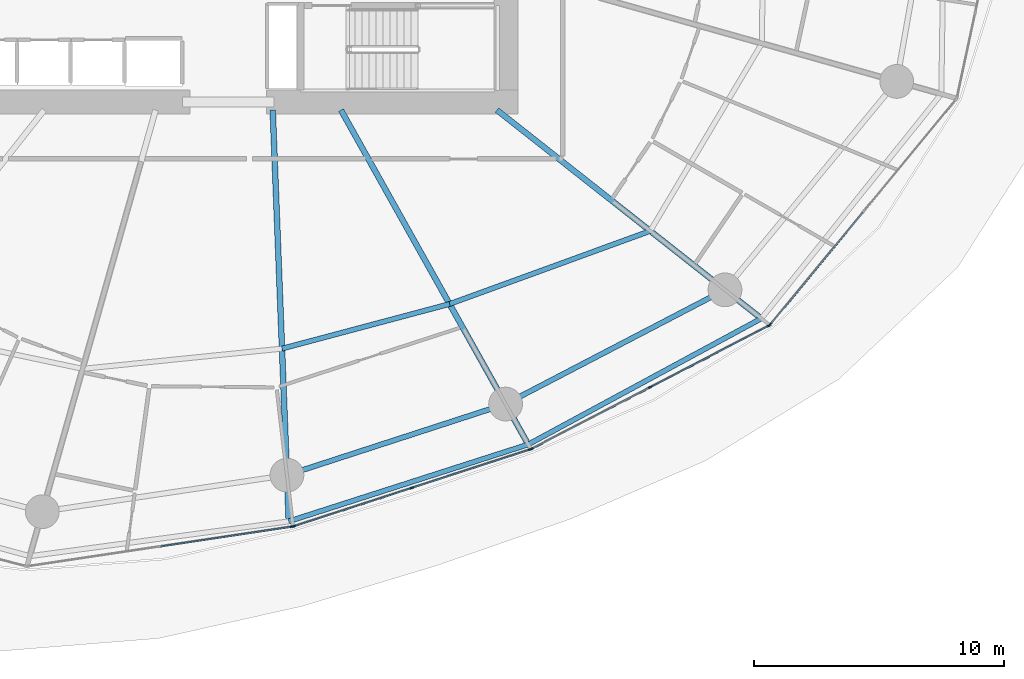
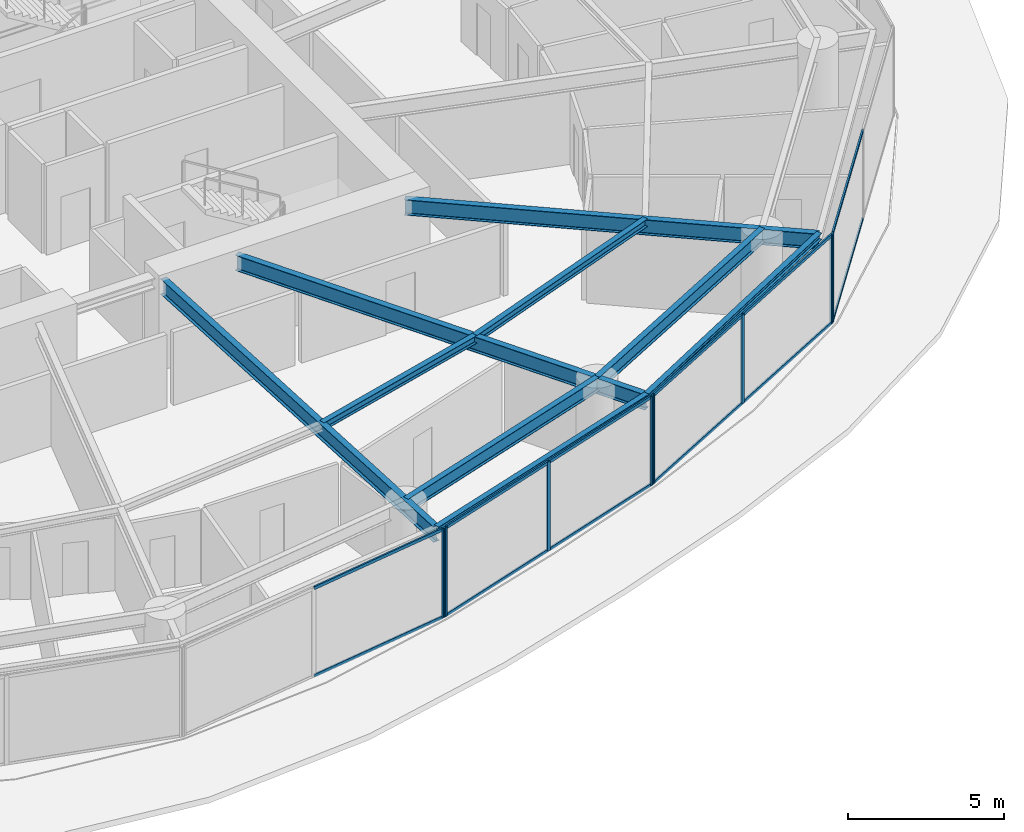
# One storey, part 8 of 22: 20 members, 9 beams, 4 elements without a shape of their own.
"""IFC4 building model written with IfcOpenShell, lengths in metres."""

from ifc_helpers import new_model, si_unit, direction, frame, origin, origin_2d, place, context, subcontext, project, spatial, rectangle, i_section, extrude, material, layer, layer_set, material_profile, profile_set, type_object, element, aggregate, save


model = new_model("IFC4")

# Units and contexts
model_context = context("Model", 3, precision=1e-05, world=origin(), true_north=direction((0.0, 1.0)))
body_context = subcontext(model_context, "Body", "Model", "MODEL_VIEW")
ifc_project = project(units=[si_unit("LENGTHUNIT", "METRE"), si_unit("AREAUNIT", "SQUARE_METRE"), si_unit("VOLUMEUNIT", "CUBIC_METRE"), si_unit("PLANEANGLEUNIT", "RADIAN"), si_unit("MASSUNIT", "GRAM", prefix="KILO")], contexts=[model_context])

# Site, building, storey
site_placement = place(None, origin())
site = spatial("IfcSite", under=ifc_project, at=site_placement, CompositionType="ELEMENT")
building_placement = place(site_placement, origin())
building = spatial("IfcBuilding", under=site, at=building_placement, Name="Kazma Halo Residences", CompositionType="ELEMENT")
storey_placement = place(building_placement, frame((0.0, 0.0, 26.39990234375)))
storey = spatial("IfcBuildingStorey", under=building, at=storey_placement, Name="L05", CompositionType="ELEMENT", Elevation=26.39990234375)

# Beams
ifc_material_1 = material(Name="Steel S355", Category="steel")
ifc_material_profile_1 = material_profile(ifc_material_1, i_section(OverallWidth=0.201904296875, OverallDepth=0.2470703125, WebThickness=0.00732421875, FlangeThickness=0.010986328125, FilletRadius=0.011962890625, at=origin_2d()), Name="W250x49.1")
ifc_profile_set_1 = profile_set([ifc_material_profile_1], Name="Steel S355")
beam_type_1 = type_object("IfcBeamType", Name="BM-BAL-CANT", PredefinedType="BEAM", material=ifc_profile_set_1)
beam_1_placement = place(storey_placement, frame((50.84033203125, 16.761962890625, 3.376708984375), z_axis=(0.952101049535, 0.305783569662, 0.0), x_axis=(-0.305783569662, 0.952101049535, 0.0)))
element("IfcBeam", 1, at=beam_1_placement, inside=storey, type_object=beam_type_1, Name="L05 wave-balcony tie beam 12", PredefinedType="BEAM", context=body_context, shape_type="SweptSolid", body=[
    extrude(i_section(OverallWidth=0.201904296875, OverallDepth=0.2470703125, WebThickness=0.00732421875, FlangeThickness=0.010986328125, FilletRadius=0.011962890625, at=origin_2d()), origin(), (0.0, 0.0, 1.0), 10.053466796875),
])
beam_2_placement = place(storey_placement, frame((60.412353515625, 19.836181640625, 3.376708984375), z_axis=(0.879759421466, 0.47541914175, 0.0), x_axis=(-0.47541914175, 0.879759421466, 0.0)))
element("IfcBeam", 2, at=beam_2_placement, inside=storey, type_object=beam_type_1, Name="L05 wave-balcony tie beam 13", PredefinedType="BEAM", context=body_context, shape_type="SweptSolid", body=[
    extrude(i_section(OverallWidth=0.201904296875, OverallDepth=0.2470703125, WebThickness=0.00732421875, FlangeThickness=0.010986328125, FilletRadius=0.011962890625, at=origin_2d()), origin(), (0.0, 0.0, 1.0), 10.58935546875),
])
ifc_material_profile_2 = material_profile(ifc_material_1, i_section(OverallWidth=0.22802734375, OverallDepth=0.60791015625, WebThickness=0.01123046875, FlangeThickness=0.017333984375, FilletRadius=0.01806640625, at=origin_2d()), Name="W610x113")
ifc_profile_set_2 = profile_set([ifc_material_profile_2], Name="Steel S355")
beam_type_2 = type_object("IfcBeamType", Name="BM-RAD-W610", PredefinedType="BEAM", material=ifc_profile_set_2)
beam_3_placement = place(storey_placement, frame((50.199951171875, 33.199951171875, 3.196044921875), z_axis=(0.038927845379, -0.999242024163, 0.0), x_axis=(0.999242024163, 0.038927845379, 0.0)))
element("IfcBeam", 3, at=beam_3_placement, inside=storey, type_object=beam_type_2, Name="L05 radial floor beam 12", PredefinedType="BEAM", context=body_context, shape_type="SweptSolid", body=[
    extrude(i_section(OverallWidth=0.22802734375, OverallDepth=0.60791015625, WebThickness=0.01123046875, FlangeThickness=0.017333984375, FilletRadius=0.01806640625, at=origin_2d()), origin(), (0.0, 0.0, 1.0), 16.450439453125),
])
beam_4_placement = place(storey_placement, frame((52.92822265625, 33.199951171875, 3.196044921875), z_axis=(0.488624239587, -0.872494328055, 0.0), x_axis=(0.872494328055, 0.488624239587, 0.0)))
element("IfcBeam", 4, at=beam_4_placement, inside=storey, type_object=beam_type_2, Name="L05 radial floor beam 13", PredefinedType="BEAM", context=body_context, shape_type="SweptSolid", body=[
    extrude(i_section(OverallWidth=0.22802734375, OverallDepth=0.60791015625, WebThickness=0.01123046875, FlangeThickness=0.017333984375, FilletRadius=0.01806640625, at=origin_2d()), origin(), (0.0, 0.0, 1.0), 15.316650390625),
])
beam_5_placement = place(storey_placement, frame((59.16259765625, 33.199951171875, 3.196044921875), z_axis=(0.785322437877, -0.619086963655, 0.0), x_axis=(0.619086963655, 0.785322437877, 0.0)))
element("IfcBeam", 5, at=beam_5_placement, inside=storey, type_object=beam_type_2, Name="L05 radial floor beam 14", PredefinedType="BEAM", context=body_context, shape_type="SweptSolid", body=[
    extrude(i_section(OverallWidth=0.22802734375, OverallDepth=0.60791015625, WebThickness=0.01123046875, FlangeThickness=0.017333984375, FilletRadius=0.01806640625, at=origin_2d()), origin(), (0.0, 0.0, 1.0), 13.454345703125),
])
ifc_material_profile_3 = material_profile(ifc_material_1, i_section(OverallWidth=0.202880859375, OverallDepth=0.302978515625, WebThickness=0.007568359375, FlangeThickness=0.01318359375, FilletRadius=0.013916015625, at=origin_2d()), Name="W310x60")
ifc_profile_set_3 = profile_set([ifc_material_profile_3], Name="Steel S355")
beam_type_3 = type_object("IfcBeamType", Name="BM-SEC-W310A", PredefinedType="JOIST", material=ifc_profile_set_3)
beam_6_placement = place(storey_placement, frame((50.5712890625, 23.666015625, 3.3486328125), z_axis=(0.966337757832, 0.257276772735, 0.0), x_axis=(-0.257276772735, 0.966337757832, 0.0)))
element("IfcBeam", 6, at=beam_6_placement, inside=storey, type_object=beam_type_3, Name="L05 circumferential floor joist 12", PredefinedType="JOIST", context=body_context, shape_type="SweptSolid", body=[
    extrude(i_section(OverallWidth=0.202880859375, OverallDepth=0.302978515625, WebThickness=0.007568359375, FlangeThickness=0.01318359375, FilletRadius=0.013916015625, at=origin_2d()), origin(), (0.0, 0.0, 1.0), 6.93115234375),
])
beam_7_placement = place(storey_placement, frame((57.26904296875, 25.44921875, 3.3486328125), z_axis=(0.939695690299, 0.34201170979, 0.0), x_axis=(-0.34201170979, 0.939695690299, 0.0)))
element("IfcBeam", 7, at=beam_7_placement, inside=storey, type_object=beam_type_3, Name="L05 circumferential floor joist 13", PredefinedType="JOIST", context=body_context, shape_type="SweptSolid", body=[
    extrude(i_section(OverallWidth=0.202880859375, OverallDepth=0.302978515625, WebThickness=0.007568359375, FlangeThickness=0.01318359375, FilletRadius=0.013916015625, at=origin_2d()), origin(), (0.0, 0.0, 1.0), 8.536865234375),
])
ifc_material_profile_4 = material_profile(ifc_material_1, i_section(OverallWidth=0.208984375, OverallDepth=0.532958984375, WebThickness=0.01025390625, FlangeThickness=0.015625, FilletRadius=0.01611328125, at=origin_2d()), Name="W530x92")
ifc_profile_set_4 = profile_set([ifc_material_profile_4], Name="Steel S355")
beam_type_4 = type_object("IfcBeamType", Name="BM-SPN-W530", PredefinedType="BEAM", material=ifc_profile_set_4)
beam_8_placement = place(storey_placement, frame((50.768310546875, 18.610595703125, 3.233642578125), z_axis=(0.951054956346, 0.309021795363, 0.0), x_axis=(-0.309021795363, 0.951054956346, 0.0)))
element("IfcBeam", 8, at=beam_8_placement, inside=storey, type_object=beam_type_4, Name="L05 perimeter ring beam 12", PredefinedType="BEAM", context=body_context, shape_type="SweptSolid", body=[
    extrude(i_section(OverallWidth=0.208984375, OverallDepth=0.532958984375, WebThickness=0.01025390625, FlangeThickness=0.015625, FilletRadius=0.01611328125, at=origin_2d()), origin(), (0.0, 0.0, 1.0), 9.189697265625),
])
beam_9_placement = place(storey_placement, frame((59.50830078125, 21.450439453125, 3.233642578125), z_axis=(0.886956241699, 0.461853467358, 0.0), x_axis=(-0.461853467358, 0.886956241699, 0.0)))
element("IfcBeam", 9, at=beam_9_placement, inside=storey, type_object=beam_type_4, Name="L05 perimeter ring beam 13", PredefinedType="BEAM", context=body_context, shape_type="SweptSolid", body=[
    extrude(i_section(OverallWidth=0.208984375, OverallDepth=0.532958984375, WebThickness=0.01025390625, FlangeThickness=0.015625, FilletRadius=0.01611328125, at=origin_2d()), origin(), (0.0, 0.0, 1.0), 9.885009765625),
])

# Curtain wall, member
ifc_material_2 = material(Name="Aluminium AW-6063 T6 and Triple-Silver Low-E Glass", Category="aluminium")
ifc_layer = layer(ifc_material_2, 0.159912109375)
ifc_layer_set = layer_set([ifc_layer], Name="Aluminium AW-6063 T6 and Triple-Silver Low-E Glass")
curtain_wall_type = type_object("IfcCurtainWallType", Name="CW-SYS-2", PredefinedType="NOTDEFINED", material=ifc_layer_set)
curtain_wall_1_placement = place(storey_placement, origin())
curtain_wall_1 = element("IfcCurtainWall", 10, at=curtain_wall_1_placement, inside=storey, type_object=curtain_wall_type, Name="L05 unitised curtain wall B11", PredefinedType="NOTDEFINED")
ifc_material_3 = material(Name="Aluminium AW-6063 T6", Category="aluminium")
ifc_material_profile_5 = material_profile(ifc_material_3, rectangle(XDim=0.06005859375, YDim=0.159912109375, at=origin_2d()), Name="CWM-60x160")
ifc_profile_set_5 = profile_set([ifc_material_profile_5], Name="Aluminium AW-6063 T6")
member_type_1 = type_object("IfcMemberType", Name="CW-SYS-2-MUL", PredefinedType="MULLION", material=ifc_profile_set_5)
member_1_placement = place(storey_placement, frame((50.981689453125, 16.552490234375, 0.0), z_axis=(0.0, 0.0, 1.0), x_axis=(-0.148657272805, 0.988888777994, 0.0)))
member_1 = element("IfcMember", 11, at=member_1_placement, type_object=member_type_1, Name="CWS-2 mullion 3", PredefinedType="MULLION", context=body_context, shape_type="SweptSolid", body=[
    extrude(rectangle(XDim=0.06005859375, YDim=0.159912109375, at=origin_2d()), origin(), (0.0, 0.0, 1.0), 3.5),
])

# Curtain wall, members
curtain_wall_2_placement = place(storey_placement, origin())
curtain_wall_2 = element("IfcCurtainWall", 12, at=curtain_wall_2_placement, inside=storey, type_object=curtain_wall_type, Name="L05 unitised curtain wall B12", PredefinedType="NOTDEFINED")
member_2_placement = place(storey_placement, frame((51.0400390625, 16.566162109375, 0.0), z_axis=(0.0, 0.0, 1.0), x_axis=(-0.309013237605, 0.951057736935, 0.0)))
member_2 = element("IfcMember", 13, at=member_2_placement, type_object=member_type_1, Name="CWS-2 mullion 1", PredefinedType="MULLION", context=body_context, shape_type="SweptSolid", body=[
    extrude(rectangle(XDim=0.06005859375, YDim=0.159912109375, at=origin_2d()), origin(), (0.0, 0.0, 1.0), 3.5),
])
member_3_placement = place(storey_placement, frame((55.76513671875, 18.1015625, 0.0), z_axis=(0.0, 0.0, 1.0), x_axis=(-0.309013237605, 0.951057736935, 0.0)))
member_3 = element("IfcMember", 14, at=member_3_placement, type_object=member_type_1, Name="CWS-2 mullion 2", PredefinedType="MULLION", context=body_context, shape_type="SweptSolid", body=[
    extrude(rectangle(XDim=0.06005859375, YDim=0.159912109375, at=origin_2d()), origin(), (0.0, 0.0, 1.0), 3.5),
])
member_4_placement = place(storey_placement, frame((60.490234375, 19.63671875, 0.0), z_axis=(0.0, 0.0, 1.0), x_axis=(-0.309013237605, 0.951057736935, 0.0)))
member_4 = element("IfcMember", 15, at=member_4_placement, type_object=member_type_1, Name="CWS-2 mullion 3", PredefinedType="MULLION", context=body_context, shape_type="SweptSolid", body=[
    extrude(rectangle(XDim=0.06005859375, YDim=0.159912109375, at=origin_2d()), origin(), (0.0, 0.0, 1.0), 3.5),
])

curtain_wall_3_placement = place(storey_placement, origin())
curtain_wall_3 = element("IfcCurtainWall", 16, at=curtain_wall_3_placement, inside=storey, type_object=curtain_wall_type, Name="L05 unitised curtain wall B13", PredefinedType="NOTDEFINED")
member_5_placement = place(storey_placement, frame((60.54541015625, 19.659912109375, 0.0), z_axis=(0.0, 0.0, 1.0), x_axis=(-0.460995912628, 0.887402258584, 0.0)))
member_5 = element("IfcMember", 17, at=member_5_placement, type_object=member_type_1, Name="CWS-2 mullion 1", PredefinedType="MULLION", context=body_context, shape_type="SweptSolid", body=[
    extrude(rectangle(XDim=0.06005859375, YDim=0.159912109375, at=origin_2d()), origin(), (0.0, 0.0, 1.0), 3.5),
])
member_6_placement = place(storey_placement, frame((65.2919921875, 22.125732421875, 0.0), z_axis=(0.0, 0.0, 1.0), x_axis=(-0.460995912628, 0.887402258584, 0.0)))
member_6 = element("IfcMember", 18, at=member_6_placement, type_object=member_type_1, Name="CWS-2 mullion 2", PredefinedType="MULLION", context=body_context, shape_type="SweptSolid", body=[
    extrude(rectangle(XDim=0.06005859375, YDim=0.159912109375, at=origin_2d()), origin(), (0.0, 0.0, 1.0), 3.5),
])
member_7_placement = place(storey_placement, frame((70.03857421875, 24.591552734375, 0.0), z_axis=(0.0, 0.0, 1.0), x_axis=(-0.460995912628, 0.887402258584, 0.0)))
member_7 = element("IfcMember", 19, at=member_7_placement, type_object=member_type_1, Name="CWS-2 mullion 3", PredefinedType="MULLION", context=body_context, shape_type="SweptSolid", body=[
    extrude(rectangle(XDim=0.06005859375, YDim=0.159912109375, at=origin_2d()), origin(), (0.0, 0.0, 1.0), 3.5),
])

# Curtain wall, member
curtain_wall_4_placement = place(storey_placement, origin())
curtain_wall_4 = element("IfcCurtainWall", 20, at=curtain_wall_4_placement, inside=storey, type_object=curtain_wall_type, Name="L05 unitised curtain wall B14", PredefinedType="NOTDEFINED")
member_8_placement = place(storey_placement, frame((70.084228515625, 24.62841796875, 0.0), z_axis=(0.0, 0.0, 1.0), x_axis=(-0.771135218369, 0.63667140268, 0.0)))
member_8 = element("IfcMember", 21, at=member_8_placement, type_object=member_type_1, Name="CWS-2 mullion 1", PredefinedType="MULLION", context=body_context, shape_type="SweptSolid", body=[
    extrude(rectangle(XDim=0.06005859375, YDim=0.159912109375, at=origin_2d()), origin(), (0.0, 0.0, 1.0), 3.5),
])

# Member
ifc_material_profile_6 = material_profile(ifc_material_3, rectangle(XDim=0.06005859375, YDim=0.1201171875, at=origin_2d()), Name="CWT-60x120")
ifc_profile_set_6 = profile_set([ifc_material_profile_6], Name="Aluminium AW-6063 T6")
member_type_2 = type_object("IfcMemberType", Name="CW-SYS-2-TRN", PredefinedType="USERDEFINED", material=ifc_profile_set_6)
member_9_placement = place(storey_placement, frame((45.721923828125, 15.761962890625, 0.030029296875), z_axis=(0.98889195415, 0.148636143041, 0.0), x_axis=(-0.148636143041, 0.98889195415, 0.0)))
member_9 = element("IfcMember", 22, at=member_9_placement, type_object=member_type_2, Name="CWS-2 transom 2.1", ObjectType="TRANSOM", PredefinedType="USERDEFINED", context=body_context, shape_type="SweptSolid", body=[
    extrude(rectangle(XDim=0.06005859375, YDim=0.1201171875, at=origin_2d()), origin(), (0.0, 0.0, 1.0), 5.2890625),
])

member_10_placement = place(storey_placement, frame((45.721923828125, 15.761962890625, 3.47021484375), z_axis=(0.98889195415, 0.148636143041, 0.0), x_axis=(-0.148636143041, 0.98889195415, 0.0)))
member_10 = element("IfcMember", 23, at=member_10_placement, type_object=member_type_2, Name="CWS-2 transom 2.2", ObjectType="TRANSOM", PredefinedType="USERDEFINED", context=body_context, shape_type="SweptSolid", body=[
    extrude(rectangle(XDim=0.06005859375, YDim=0.1201171875, at=origin_2d()), origin(), (0.0, 0.0, 1.0), 5.2890625),
])

aggregate(curtain_wall_1, [member_1, member_9, member_10])

member_11_placement = place(storey_placement, frame((51.068359375, 16.575439453125, 0.030029296875), z_axis=(0.951053439365, 0.309026464033, 0.0), x_axis=(-0.309026464033, 0.951053439365, 0.0)))
member_11 = element("IfcMember", 24, at=member_11_placement, type_object=member_type_2, Name="CWS-2 transom 1.1", ObjectType="TRANSOM", PredefinedType="USERDEFINED", context=body_context, shape_type="SweptSolid", body=[
    extrude(rectangle(XDim=0.06005859375, YDim=0.1201171875, at=origin_2d()), origin(), (0.0, 0.0, 1.0), 4.908447265625),
])

member_12_placement = place(storey_placement, frame((51.068359375, 16.575439453125, 3.47021484375), z_axis=(0.951053439365, 0.309026464033, 0.0), x_axis=(-0.309026464033, 0.951053439365, 0.0)))
member_12 = element("IfcMember", 25, at=member_12_placement, type_object=member_type_2, Name="CWS-2 transom 1.2", ObjectType="TRANSOM", PredefinedType="USERDEFINED", context=body_context, shape_type="SweptSolid", body=[
    extrude(rectangle(XDim=0.06005859375, YDim=0.1201171875, at=origin_2d()), origin(), (0.0, 0.0, 1.0), 4.908447265625),
])

member_13_placement = place(storey_placement, frame((55.793701171875, 18.11083984375, 0.030029296875), z_axis=(0.951063307819, 0.308996091432, 0.0), x_axis=(-0.308996091432, 0.951063307819, 0.0)))
member_13 = element("IfcMember", 26, at=member_13_placement, type_object=member_type_2, Name="CWS-2 transom 2.1", ObjectType="TRANSOM", PredefinedType="USERDEFINED", context=body_context, shape_type="SweptSolid", body=[
    extrude(rectangle(XDim=0.06005859375, YDim=0.1201171875, at=origin_2d()), origin(), (0.0, 0.0, 1.0), 4.908203125),
])

member_14_placement = place(storey_placement, frame((55.793701171875, 18.11083984375, 3.47021484375), z_axis=(0.951063307819, 0.308996091432, 0.0), x_axis=(-0.308996091432, 0.951063307819, 0.0)))
member_14 = element("IfcMember", 27, at=member_14_placement, type_object=member_type_2, Name="CWS-2 transom 2.2", ObjectType="TRANSOM", PredefinedType="USERDEFINED", context=body_context, shape_type="SweptSolid", body=[
    extrude(rectangle(XDim=0.06005859375, YDim=0.1201171875, at=origin_2d()), origin(), (0.0, 0.0, 1.0), 4.908203125),
])

aggregate(curtain_wall_2, [member_2, member_3, member_4, member_11, member_12, member_13, member_14])

member_15_placement = place(storey_placement, frame((60.572021484375, 19.673828125, 0.030029296875), z_axis=(0.887414738583, 0.460971888238, 0.0), x_axis=(-0.460971888238, 0.887414738583, 0.0)))
member_15 = element("IfcMember", 28, at=member_15_placement, type_object=member_type_2, Name="CWS-2 transom 1.1", ObjectType="TRANSOM", PredefinedType="USERDEFINED", context=body_context, shape_type="SweptSolid", body=[
    extrude(rectangle(XDim=0.06005859375, YDim=0.1201171875, at=origin_2d()), origin(), (0.0, 0.0, 1.0), 5.288818359375),
])

member_16_placement = place(storey_placement, frame((60.572021484375, 19.673828125, 3.47021484375), z_axis=(0.887414738583, 0.460971888238, 0.0), x_axis=(-0.460971888238, 0.887414738583, 0.0)))
member_16 = element("IfcMember", 29, at=member_16_placement, type_object=member_type_2, Name="CWS-2 transom 1.2", ObjectType="TRANSOM", PredefinedType="USERDEFINED", context=body_context, shape_type="SweptSolid", body=[
    extrude(rectangle(XDim=0.06005859375, YDim=0.1201171875, at=origin_2d()), origin(), (0.0, 0.0, 1.0), 5.288818359375),
])

member_17_placement = place(storey_placement, frame((65.318603515625, 22.1396484375, 0.030029296875), z_axis=(0.887414738583, 0.460971888238, 0.0), x_axis=(-0.460971888238, 0.887414738583, 0.0)))
member_17 = element("IfcMember", 30, at=member_17_placement, type_object=member_type_2, Name="CWS-2 transom 2.1", ObjectType="TRANSOM", PredefinedType="USERDEFINED", context=body_context, shape_type="SweptSolid", body=[
    extrude(rectangle(XDim=0.06005859375, YDim=0.1201171875, at=origin_2d()), origin(), (0.0, 0.0, 1.0), 5.288818359375),
])

member_18_placement = place(storey_placement, frame((65.318603515625, 22.1396484375, 3.47021484375), z_axis=(0.887414738583, 0.460971888238, 0.0), x_axis=(-0.460971888238, 0.887414738583, 0.0)))
member_18 = element("IfcMember", 31, at=member_18_placement, type_object=member_type_2, Name="CWS-2 transom 2.2", ObjectType="TRANSOM", PredefinedType="USERDEFINED", context=body_context, shape_type="SweptSolid", body=[
    extrude(rectangle(XDim=0.06005859375, YDim=0.1201171875, at=origin_2d()), origin(), (0.0, 0.0, 1.0), 5.288818359375),
])

aggregate(curtain_wall_3, [member_5, member_6, member_7, member_15, member_16, member_17, member_18])

member_19_placement = place(storey_placement, frame((70.103271484375, 24.651611328125, 0.030029296875), z_axis=(0.636682953199, 0.771125681784, 0.0), x_axis=(-0.771125681784, 0.636682953199, 0.0)))
member_19 = element("IfcMember", 32, at=member_19_placement, type_object=member_type_2, Name="CWS-2 transom 1.1", ObjectType="TRANSOM", PredefinedType="USERDEFINED", context=body_context, shape_type="SweptSolid", body=[
    extrude(rectangle(XDim=0.06005859375, YDim=0.1201171875, at=origin_2d()), origin(), (0.0, 0.0, 1.0), 5.78564453125),
])

member_20_placement = place(storey_placement, frame((70.103271484375, 24.651611328125, 3.47021484375), z_axis=(0.636682953199, 0.771125681784, 0.0), x_axis=(-0.771125681784, 0.636682953199, 0.0)))
member_20 = element("IfcMember", 33, at=member_20_placement, type_object=member_type_2, Name="CWS-2 transom 1.2", ObjectType="TRANSOM", PredefinedType="USERDEFINED", context=body_context, shape_type="SweptSolid", body=[
    extrude(rectangle(XDim=0.06005859375, YDim=0.1201171875, at=origin_2d()), origin(), (0.0, 0.0, 1.0), 5.78564453125),
])

aggregate(curtain_wall_4, [member_8, member_19, member_20])

save(model, "model.ifc")
